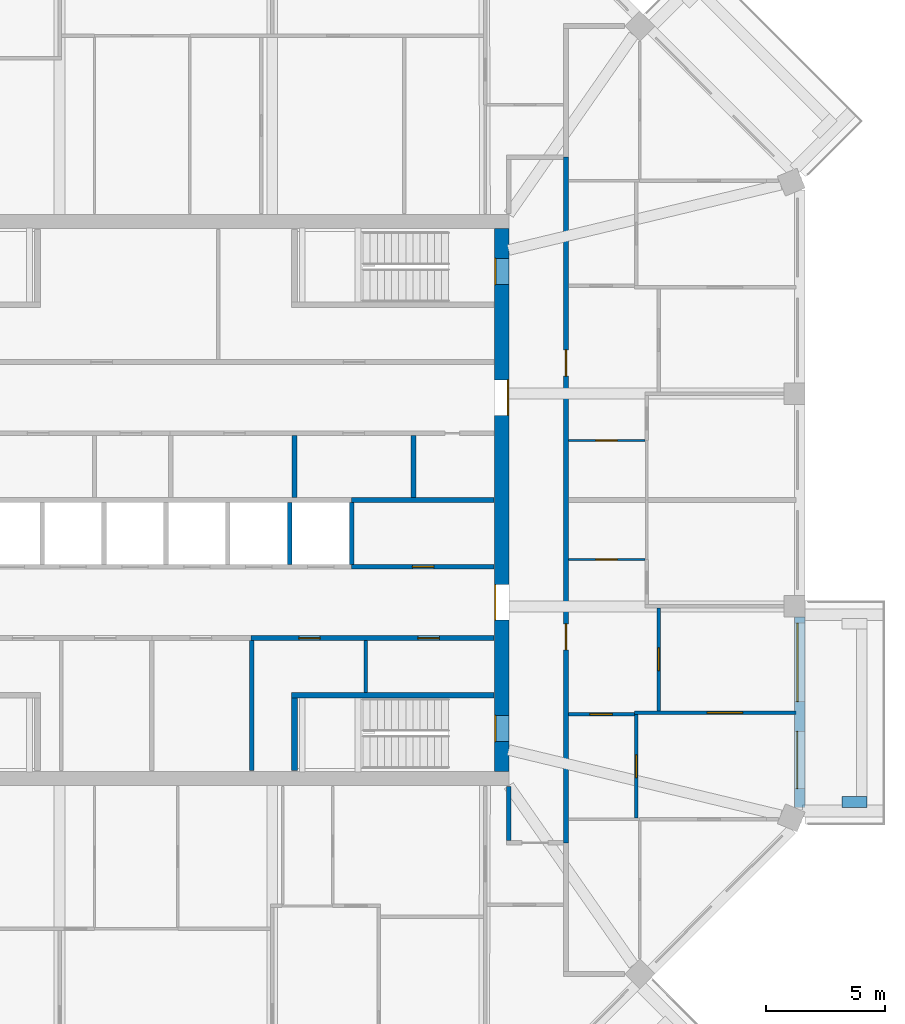
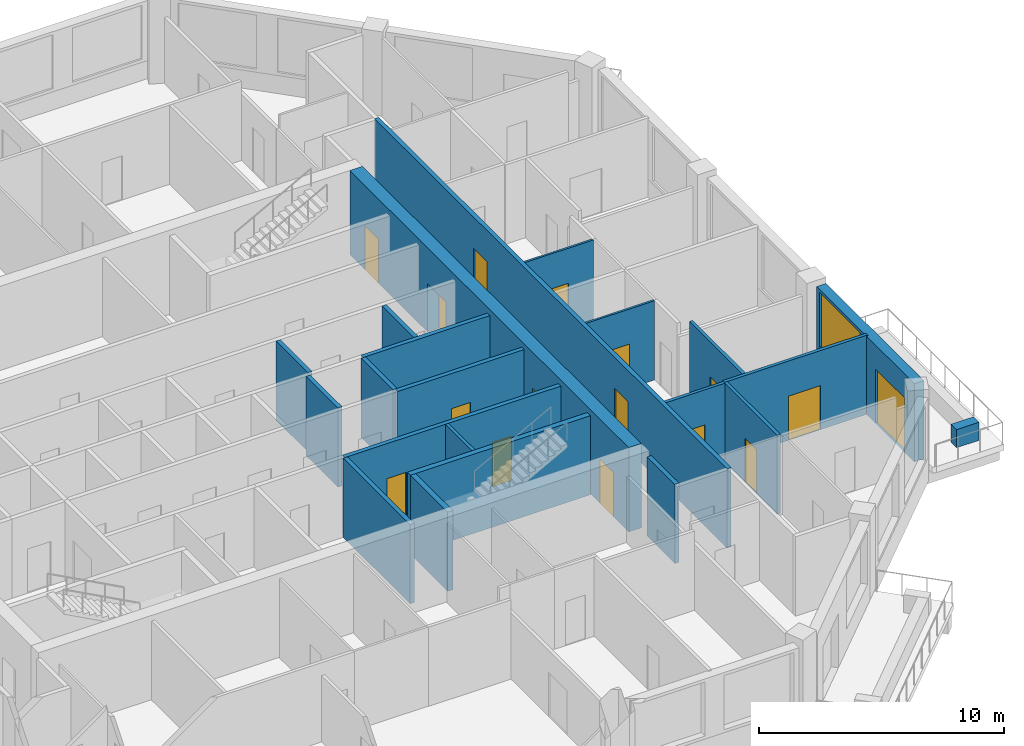
# One storey, part 6 of 11: 22 walls, 16 doors, 1 window, 17 openings.
"""IFC4 building model written with IfcOpenShell, lengths in metres."""

from ifc_helpers import new_model, si_unit, direction, frame, frame_2d, origin, place, context, subcontext, project, spatial, rectangle, extrude, material, layer, layer_set, type_object, element, fill, save


model = new_model("IFC4")

# Units and contexts
model_context = context("Model", 3, precision=1e-05, world=origin(), true_north=direction((0.0, 1.0)))
body_context = subcontext(model_context, "Body", "Model", "MODEL_VIEW")
ifc_project = project(units=[si_unit("LENGTHUNIT", "METRE"), si_unit("AREAUNIT", "SQUARE_METRE"), si_unit("VOLUMEUNIT", "CUBIC_METRE"), si_unit("PLANEANGLEUNIT", "RADIAN"), si_unit("MASSUNIT", "GRAM", prefix="KILO")], contexts=[model_context])

# Site, building, storey
site_placement = place(None, origin())
site = spatial("IfcSite", under=ifc_project, at=site_placement, CompositionType="ELEMENT")
building_placement = place(site_placement, origin())
building = spatial("IfcBuilding", under=site, at=building_placement, Name="Msitu Wima Residences", CompositionType="ELEMENT")
storey_placement = place(building_placement, frame((0.0, 0.0, 264.300048828125)))
storey = spatial("IfcBuildingStorey", under=building, at=storey_placement, Name="L61", CompositionType="ELEMENT", Elevation=264.300048828125)

# Wall
ifc_material_1 = material(Name="Facing brick")
ifc_layer_1 = layer(ifc_material_1, 0.06494140625, Name="Facing brick")
ifc_material_2 = material(Name="Concrete C40/50", Category="concrete")
ifc_layer_2 = layer(ifc_material_2, 0.156005859375, Name="Concrete C40/50")
ifc_material_3 = material(Name="Waterproofing membrane")
ifc_layer_3 = layer(ifc_material_3, 0.00390625, Name="Waterproofing membrane")
ifc_material_4 = material(Name="Planting soil and planting")
ifc_layer_4 = layer(ifc_material_4, 0.22509765625, Name="Planting soil and planting")
ifc_layer_set_1 = layer_set([ifc_layer_1, ifc_layer_2, ifc_layer_3, ifc_layer_4], Name="Concrete C40/50")
wall_type_1 = type_object("IfcWallType", Name="Balcony planter PLANTER PL450", PredefinedType="USERDEFINED", material=ifc_layer_set_1)
wall_1_placement = place(storey_placement, frame((28.39990234375, -12.680908203125, 0.0), z_axis=(0.0, 0.0, 1.0), x_axis=(1.0, 0.0, 0.0)))
element("IfcWall", 1, at=wall_1_placement, inside=storey, type_object=wall_type_1, Name="Balcony planter E0 L61", ObjectType="PLANTER", PredefinedType="USERDEFINED", context=body_context, shape_type="SweptSolid", body=[
    extrude(rectangle(XDim=1.050048828125, YDim=0.449951171875, at=frame_2d((0.52490234375, 0.0))), origin(), (0.0, 0.0, 1.0), 0.89990234375),
])

# Wall, openings, door, window
ifc_material_5 = material(Name="Brick (red buff mix)", Category="masonry")
ifc_layer_5 = layer(ifc_material_5, 0.449951171875)
ifc_layer_set_2 = layer_set([ifc_layer_5], Name="Brick (red buff mix)")
wall_type_2 = type_object("IfcWallType", Name="Brick infill wall BW450", PredefinedType="SOLIDWALL", material=ifc_layer_set_2)
wall_2_placement = place(storey_placement, frame((26.625, -12.918701171875, 0.0), z_axis=(0.0, 0.0, 1.0), x_axis=(0.0, 1.0, 0.0)))
wall_2 = element("IfcWall", 2, at=wall_2_placement, inside=storey, type_object=wall_type_2, Name="Brick infill wall L61 E0", PredefinedType="SOLIDWALL", context=body_context, shape_type="SweptSolid", body=[
    extrude(rectangle(XDim=8.0, YDim=0.449951171875, at=frame_2d((4.0, 0.0))), origin(), (0.0, 0.0, 1.0), 3.89990234375),
])
opening_1_placement = place(wall_2_placement, frame((0.800048828125, 0.0, 0.0)))
opening_1 = element("IfcOpeningElement", 3, at=opening_1_placement, cuts=wall_2, Name="Opening D60-62.001", PredefinedType="OPENING", context=body_context, shape_type="SweptSolid", body=[
    extrude(rectangle(XDim=2.39990234375, YDim=2.699951171875, at=frame_2d((1.199951171875, 1.35009765625))), frame((0.0, 0.23486328125, 0.0), z_axis=(0.0, -1.0, 0.0), x_axis=(1.0, 0.0, 0.0)), (0.0, 0.0, 1.0), 0.469970703125),
])
opening_2_placement = place(wall_2_placement, frame((4.4501953125, 0.0, 1.050048828125)))
opening_2 = element("IfcOpeningElement", 4, at=opening_2_placement, cuts=wall_2, Name="Opening W60-62.001", PredefinedType="OPENING", context=body_context, shape_type="SweptSolid", body=[
    extrude(rectangle(XDim=3.300048828125, YDim=2.699951171875, at=frame_2d((1.64990234375, 1.35009765625))), frame((0.0, 0.23486328125, 0.0), z_axis=(0.0, -1.0, 0.0), x_axis=(1.0, 0.0, 0.0)), (0.0, 0.0, 1.0), 0.469970703125),
])
ifc_material_6 = material(Name="Anodised aluminium, bronze finish, clear low-emissivity double glazing", Category="aluminium")
door_type_1 = type_object("IfcDoorType", Name="Balcony door D2400x2700", OperationType="SLIDING_TO_LEFT", PredefinedType="DOOR", material=ifc_material_6)
door_1_placement = place(opening_1_placement, origin())
door_1 = element("IfcDoor", 5, at=door_1_placement, inside=storey, type_object=door_type_1, Name="Balcony door L61 E0", OperationType="SINGLE_SWING_LEFT", OverallHeight=2.699951171875, OverallWidth=2.39990234375, PredefinedType="DOOR", context=body_context, shape_type="SweptSolid", body=[
    extrude(rectangle(XDim=2.39990234375, YDim=2.699951171875, at=frame_2d((1.199951171875, 1.35009765625))), frame((0.0, 0.1298828125, 0.0), z_axis=(0.0, -1.0, 0.0), x_axis=(1.0, 0.0, 0.0)), (0.0, 0.0, 1.0), 0.050048828125),
])
fill(opening_1, door_1)
window_type = type_object("IfcWindowType", Name="Window W3300x2700", PartitioningType="DOUBLE_PANEL_VERTICAL", PredefinedType="WINDOW", material=ifc_material_6)
window_placement = place(opening_2_placement, origin())
window = element("IfcWindow", 6, at=window_placement, inside=storey, type_object=window_type, Name="Window L61 E0.2", OverallHeight=2.699951171875, OverallWidth=3.300048828125, PartitioningType="SINGLE_PANEL", PredefinedType="WINDOW", context=body_context, shape_type="SweptSolid", body=[
    extrude(rectangle(XDim=3.300048828125, YDim=2.699951171875, at=frame_2d((1.64990234375, 1.35009765625))), frame((0.0, 0.135009765625, 0.0), z_axis=(0.0, -1.0, 0.0), x_axis=(1.0, 0.0, 0.0)), (0.0, 0.0, 1.0), 0.06005859375),
])
fill(opening_2, window)

# Wall, openings, doors
ifc_material_7 = material(Name="Concrete C50/60", Category="concrete")
ifc_layer_6 = layer(ifc_material_7, 0.60009765625)
ifc_layer_set_3 = layer_set([ifc_layer_6], Name="Concrete C50/60")
wall_type_3 = type_object("IfcWallType", Name="Core wall CW600 C50/60", PredefinedType="SHEAR", material=ifc_layer_set_3)
wall_3_placement = place(storey_placement, frame((14.10009765625, -11.39990234375, 0.0), z_axis=(0.0, 0.0, 1.0), x_axis=(0.0, 1.0, 0.0)))
wall_3 = element("IfcWall", 7, at=wall_3_placement, inside=storey, type_object=wall_type_3, Name="Core wall", PredefinedType="SHEAR", context=body_context, shape_type="SweptSolid", body=[
    extrude(rectangle(XDim=22.7998046875, YDim=0.60009765625, at=frame_2d((11.39990234375, 0.0))), origin(), (0.0, 0.0, 1.0), 4.199951171875),
])
opening_3_placement = place(wall_3_placement, frame((20.449951171875, 0.0, 0.0)))
opening_3 = element("IfcOpeningElement", 8, at=opening_3_placement, cuts=wall_3, Name="Opening D60-62.089", PredefinedType="OPENING", context=body_context, shape_type="SweptSolid", body=[
    extrude(rectangle(XDim=1.10009765625, YDim=2.199951171875, at=frame_2d((0.550048828125, 1.10009765625))), frame((0.0, 0.31005859375, 0.0), z_axis=(0.0, -1.0, 0.0), x_axis=(1.0, 0.0, 0.0)), (0.0, 0.0, 1.0), 0.6201171875),
])
opening_4_placement = place(wall_3_placement, frame((1.25, 0.0, 0.0)))
opening_4 = element("IfcOpeningElement", 9, at=opening_4_placement, cuts=wall_3, Name="Opening D60-62.090", PredefinedType="OPENING", context=body_context, shape_type="SweptSolid", body=[
    extrude(rectangle(XDim=1.10009765625, YDim=2.199951171875, at=frame_2d((0.550048828125, 1.10009765625))), frame((0.0, 0.31005859375, 0.0), z_axis=(0.0, -1.0, 0.0), x_axis=(1.0, 0.0, 0.0)), (0.0, 0.0, 1.0), 0.6201171875),
])
opening_5_placement = place(wall_3_placement, frame((14.949951171875, 0.0, 0.0)))
opening_5 = element("IfcOpeningElement", 10, at=opening_5_placement, cuts=wall_3, Name="Opening D60-62.077", PredefinedType="OPENING", context=body_context, shape_type="SweptSolid", body=[
    extrude(rectangle(XDim=1.5, YDim=2.39990234375, at=frame_2d((0.75, 1.199951171875))), frame((0.0, 0.31005859375, 0.0), z_axis=(0.0, -1.0, 0.0), x_axis=(1.0, 0.0, 0.0)), (0.0, 0.0, 1.0), 0.6201171875),
])
opening_6_placement = place(wall_3_placement, frame((6.35009765625, 0.0, 0.0)))
opening_6 = element("IfcOpeningElement", 11, at=opening_6_placement, cuts=wall_3, Name="Opening D60-62.078", PredefinedType="OPENING", context=body_context, shape_type="SweptSolid", body=[
    extrude(rectangle(XDim=1.5, YDim=2.39990234375, at=frame_2d((0.75, 1.199951171875))), frame((0.0, 0.31005859375, 0.0), z_axis=(0.0, -1.0, 0.0), x_axis=(1.0, 0.0, 0.0)), (0.0, 0.0, 1.0), 0.6201171875),
])
ifc_material_8 = material(Name="Steel framed glazed door, fire resisting", Category="steel")
door_type_2 = type_object("IfcDoorType", Name="Lobby door D07 1500x2400", OperationType="DOUBLE_DOOR_SINGLE_SWING", PredefinedType="DOOR", material=ifc_material_8)
door_2_placement = place(opening_5_placement, origin())
door_2 = element("IfcDoor", 12, at=door_2_placement, inside=storey, type_object=door_type_2, Name="Lobby door", OperationType="DOUBLE_DOOR_SINGLE_SWING", OverallHeight=2.39990234375, OverallWidth=1.5, PredefinedType="DOOR", context=body_context, shape_type="SweptSolid", body=[
    extrude(rectangle(XDim=1.5, YDim=2.39990234375, at=frame_2d((0.75, 1.199951171875))), frame((0.0, -0.2451171875, 0.0), z_axis=(0.0, -1.0, 0.0), x_axis=(1.0, 0.0, 0.0)), (0.0, 0.0, 1.0), 0.050048828125),
])
fill(opening_5, door_2)
door_3_placement = place(opening_6_placement, origin())
door_3 = element("IfcDoor", 13, at=door_3_placement, inside=storey, type_object=door_type_2, Name="Lobby door", OperationType="DOUBLE_DOOR_SINGLE_SWING", OverallHeight=2.39990234375, OverallWidth=1.5, PredefinedType="DOOR", context=body_context, shape_type="SweptSolid", body=[
    extrude(rectangle(XDim=1.5, YDim=2.39990234375, at=frame_2d((0.75, 1.199951171875))), frame((0.0, 0.294921875, 0.0), z_axis=(0.0, -1.0, 0.0), x_axis=(1.0, 0.0, 0.0)), (0.0, 0.0, 1.0), 0.050048828125),
])
fill(opening_6, door_3)
ifc_material_9 = material(Name="Steel door, fire resisting, panic bar", Category="steel")
door_type_3 = type_object("IfcDoorType", Name="Stair door D06 1100x2200", OperationType="SINGLE_SWING_LEFT", PredefinedType="DOOR", material=ifc_material_9)
door_4_placement = place(opening_3_placement, origin())
door_4 = element("IfcDoor", 14, at=door_4_placement, inside=storey, type_object=door_type_3, Name="Stair door", OperationType="SINGLE_SWING_LEFT", OverallHeight=2.199951171875, OverallWidth=1.10009765625, PredefinedType="DOOR", context=body_context, shape_type="SweptSolid", body=[
    extrude(rectangle(XDim=1.10009765625, YDim=2.199951171875, at=frame_2d((0.550048828125, 1.10009765625))), frame((0.0, 0.294921875, 0.0), z_axis=(0.0, -1.0, 0.0), x_axis=(1.0, 0.0, 0.0)), (0.0, 0.0, 1.0), 0.050048828125),
])
fill(opening_3, door_4)
door_5_placement = place(opening_4_placement, origin())
door_5 = element("IfcDoor", 15, at=door_5_placement, inside=storey, type_object=door_type_3, Name="Stair door", OperationType="SINGLE_SWING_RIGHT", OverallHeight=2.199951171875, OverallWidth=1.10009765625, PredefinedType="DOOR", context=body_context, shape_type="SweptSolid", body=[
    extrude(rectangle(XDim=1.10009765625, YDim=2.199951171875, at=frame_2d((0.550048828125, 1.10009765625))), frame((0.0, 0.294921875, 0.0), z_axis=(0.0, -1.0, 0.0), x_axis=(1.0, 0.0, 0.0)), (0.0, 0.0, 1.0), 0.050048828125),
])
fill(opening_4, door_5)

ifc_material_10 = material(Name="Plaster")
ifc_layer_7 = layer(ifc_material_10, 0.011962890625, Name="Plaster")
ifc_material_11 = material(Name="Concrete blockwork", Category="masonry")
ifc_layer_8 = layer(ifc_material_11, 0.176025390625, Name="Concrete blockwork")
ifc_layer_9 = layer(ifc_material_10, 0.011962890625, Name="Plaster")
ifc_layer_set_4 = layer_set([ifc_layer_7, ifc_layer_8, ifc_layer_9], Name="Concrete blockwork")
wall_type_4 = type_object("IfcWallType", Name="Corridor wall FW200", PredefinedType="PARTITIONING", material=ifc_layer_set_4)
wall_4_placement = place(storey_placement, frame((3.580078125, -5.800048828125, 0.0), z_axis=(0.0, 0.0, 1.0), x_axis=(1.0, 0.0, 0.0)))
wall_4 = element("IfcWall", 16, at=wall_4_placement, inside=storey, type_object=wall_type_4, Name="Corridor wall", PredefinedType="PARTITIONING", context=body_context, shape_type="SweptSolid", body=[
    extrude(rectangle(XDim=10.18994140625, YDim=0.199951171875, at=frame_2d((5.094970703125, 0.0))), origin(), (0.0, 0.0, 1.0), 3.949951171875),
])
opening_7_placement = place(wall_4_placement, frame((2.0, 0.0, 0.0)))
opening_7 = element("IfcOpeningElement", 17, at=opening_7_placement, cuts=wall_4, Name="Opening D60-62.075", PredefinedType="OPENING", context=body_context, shape_type="SweptSolid", body=[
    extrude(rectangle(XDim=0.89990234375, YDim=2.199951171875, at=frame_2d((0.449951171875, 1.10009765625))), frame((0.0, 0.10986328125, 0.0), z_axis=(0.0, -1.0, 0.0), x_axis=(1.0, 0.0, 0.0)), (0.0, 0.0, 1.0), 0.219970703125),
])
opening_8_placement = place(wall_4_placement, frame((7.0, 0.0, 0.0)))
opening_8 = element("IfcOpeningElement", 18, at=opening_8_placement, cuts=wall_4, Name="Opening D60-62.076", PredefinedType="OPENING", context=body_context, shape_type="SweptSolid", body=[
    extrude(rectangle(XDim=0.89990234375, YDim=2.199951171875, at=frame_2d((0.449951171875, 1.10009765625))), frame((0.0, 0.10986328125, 0.0), z_axis=(0.0, -1.0, 0.0), x_axis=(1.0, 0.0, 0.0)), (0.0, 0.0, 1.0), 0.219970703125),
])
ifc_material_12 = material(Name="Timber flush door", Category="wood")
door_type_4 = type_object("IfcDoorType", Name="Service door D05 900x2200", OperationType="SINGLE_SWING_LEFT", PredefinedType="DOOR", material=ifc_material_12)
door_6_placement = place(opening_7_placement, origin())
door_6 = element("IfcDoor", 19, at=door_6_placement, inside=storey, type_object=door_type_4, Name="Service door", OperationType="SINGLE_SWING_LEFT", OverallHeight=2.199951171875, OverallWidth=0.89990234375, PredefinedType="DOOR", context=body_context, shape_type="SweptSolid", body=[
    extrude(rectangle(XDim=0.89990234375, YDim=2.199951171875, at=frame_2d((0.449951171875, 1.10009765625))), frame((0.0, 0.02490234375, 0.0), z_axis=(0.0, -1.0, 0.0), x_axis=(1.0, 0.0, 0.0)), (0.0, 0.0, 1.0), 0.050048828125),
])
fill(opening_7, door_6)
door_7_placement = place(opening_8_placement, origin())
door_7 = element("IfcDoor", 20, at=door_7_placement, inside=storey, type_object=door_type_4, Name="Service door", OperationType="SINGLE_SWING_RIGHT", OverallHeight=2.199951171875, OverallWidth=0.89990234375, PredefinedType="DOOR", context=body_context, shape_type="SweptSolid", body=[
    extrude(rectangle(XDim=0.89990234375, YDim=2.199951171875, at=frame_2d((0.449951171875, 1.10009765625))), frame((0.0, 0.02490234375, 0.0), z_axis=(0.0, -1.0, 0.0), x_axis=(1.0, 0.0, 0.0)), (0.0, 0.0, 1.0), 0.050048828125),
])
fill(opening_8, door_7)

# Wall
wall_5_placement = place(storey_placement, frame((14.39990234375, -14.300048828125, 0.0), z_axis=(0.0, 0.0, 1.0), x_axis=(0.0, 1.0, 0.0)))
element("IfcWall", 21, at=wall_5_placement, inside=storey, type_object=wall_type_4, Name="Corridor wall", PredefinedType="PARTITIONING", context=body_context, shape_type="SweptSolid", body=[
    extrude(rectangle(XDim=2.27001953125, YDim=0.199951171875, at=frame_2d((1.135009765625, 0.0))), origin(), (0.0, 0.0, 1.0), 3.949951171875),
])

# Wall, openings, doors
wall_6_placement = place(storey_placement, frame((16.800048828125, -14.39990234375, 0.0), z_axis=(0.0, 0.0, 1.0), x_axis=(0.0, 1.0, 0.0)))
wall_6 = element("IfcWall", 22, at=wall_6_placement, inside=storey, type_object=wall_type_4, Name="Corridor wall", PredefinedType="PARTITIONING", context=body_context, shape_type="SweptSolid", body=[
    extrude(rectangle(XDim=28.7998046875, YDim=0.199951171875, at=frame_2d((14.39990234375, 0.0))), origin(), (0.0, 0.0, 1.0), 3.949951171875),
])
opening_9_placement = place(wall_6_placement, frame((8.10009765625, 0.0, 0.0)))
opening_9 = element("IfcOpeningElement", 23, at=opening_9_placement, cuts=wall_6, Name="Opening D60-62.008", PredefinedType="OPENING", context=body_context, shape_type="SweptSolid", body=[
    extrude(rectangle(XDim=1.10009765625, YDim=2.39990234375, at=frame_2d((0.550048828125, 1.199951171875))), frame((0.0, 0.10986328125, 0.0), z_axis=(0.0, -1.0, 0.0), x_axis=(1.0, 0.0, 0.0)), (0.0, 0.0, 1.0), 0.219970703125),
])
opening_10_placement = place(wall_6_placement, frame((19.60009765625, 0.0, 0.0)))
opening_10 = element("IfcOpeningElement", 24, at=opening_10_placement, cuts=wall_6, Name="Opening D60-62.017", PredefinedType="OPENING", context=body_context, shape_type="SweptSolid", body=[
    extrude(rectangle(XDim=1.10009765625, YDim=2.39990234375, at=frame_2d((0.550048828125, 1.199951171875))), frame((0.0, 0.10986328125, 0.0), z_axis=(0.0, -1.0, 0.0), x_axis=(1.0, 0.0, 0.0)), (0.0, 0.0, 1.0), 0.219970703125),
])
ifc_material_13 = material(Name="Timber flush door, fire resisting, self-closing", Category="wood")
door_type_5 = type_object("IfcDoorType", Name="Flat entrance door D01 1100x2400", OperationType="SINGLE_SWING_LEFT", PredefinedType="DOOR", material=ifc_material_13)
door_8_placement = place(opening_9_placement, origin())
door_8 = element("IfcDoor", 25, at=door_8_placement, inside=storey, type_object=door_type_5, Name="Flat entrance door", OperationType="SINGLE_SWING_RIGHT", OverallHeight=2.39990234375, OverallWidth=1.10009765625, PredefinedType="DOOR", context=body_context, shape_type="SweptSolid", body=[
    extrude(rectangle(XDim=1.10009765625, YDim=2.39990234375, at=frame_2d((0.550048828125, 1.199951171875))), frame((0.0, 0.02490234375, 0.0), z_axis=(0.0, -1.0, 0.0), x_axis=(1.0, 0.0, 0.0)), (0.0, 0.0, 1.0), 0.050048828125),
])
fill(opening_9, door_8)
door_9_placement = place(opening_10_placement, origin())
door_9 = element("IfcDoor", 26, at=door_9_placement, inside=storey, type_object=door_type_5, Name="Flat entrance door", OperationType="SINGLE_SWING_LEFT", OverallHeight=2.39990234375, OverallWidth=1.10009765625, PredefinedType="DOOR", context=body_context, shape_type="SweptSolid", body=[
    extrude(rectangle(XDim=1.10009765625, YDim=2.39990234375, at=frame_2d((0.550048828125, 1.199951171875))), frame((0.0, 0.02490234375, 0.0), z_axis=(0.0, -1.0, 0.0), x_axis=(1.0, 0.0, 0.0)), (0.0, 0.0, 1.0), 0.050048828125),
])
fill(opening_10, door_9)

# Wall
ifc_layer_10 = layer(ifc_material_10, 0.011962890625, Name="Plaster")
ifc_layer_11 = layer(ifc_material_11, 0.1259765625, Name="Concrete blockwork")
ifc_layer_12 = layer(ifc_material_10, 0.011962890625, Name="Plaster")
ifc_layer_set_5 = layer_set([ifc_layer_10, ifc_layer_11, ifc_layer_12], Name="Concrete blockwork")
wall_type_5 = type_object("IfcWallType", Name="Partition PW150", PredefinedType="PARTITIONING", material=ifc_layer_set_5)
wall_7_placement = place(storey_placement, frame((8.39990234375, -8.074951171875, 0.0), z_axis=(0.0, 0.0, 1.0), x_axis=(0.0, 1.0, 0.0)))
element("IfcWall", 27, at=wall_7_placement, inside=storey, type_object=wall_type_5, Name="Partition", PredefinedType="PARTITIONING", context=body_context, shape_type="SweptSolid", body=[
    extrude(rectangle(XDim=2.175048828125, YDim=0.14990234375, at=frame_2d((1.08740234375, 0.0))), origin(), (0.0, 0.0, 1.0), 3.949951171875),
])

# Wall, opening, door
wall_8_placement = place(storey_placement, frame((16.89990234375, -9.0, 0.0), z_axis=(0.0, 0.0, 1.0), x_axis=(1.0, 0.0, 0.0)))
wall_8 = element("IfcWall", 28, at=wall_8_placement, inside=storey, type_object=wall_type_5, Name="Partition", PredefinedType="PARTITIONING", context=body_context, shape_type="SweptSolid", body=[
    extrude(rectangle(XDim=2.775146484375, YDim=0.14990234375, at=frame_2d((1.3876953125, 0.0))), origin(), (0.0, 0.0, 1.0), 3.949951171875),
])
opening_11_placement = place(wall_8_placement, frame((0.89990234375, 0.0, 0.0)))
opening_11 = element("IfcOpeningElement", 29, at=opening_11_placement, cuts=wall_8, Name="Opening D60-62.010", PredefinedType="OPENING", context=body_context, shape_type="SweptSolid", body=[
    extrude(rectangle(XDim=0.949951171875, YDim=2.199951171875, at=frame_2d((0.47509765625, 1.10009765625))), frame((0.0, 0.0849609375, 0.0), z_axis=(0.0, -1.0, 0.0), x_axis=(1.0, 0.0, 0.0)), (0.0, 0.0, 1.0), 0.169921875),
])
door_type_6 = type_object("IfcDoorType", Name="Room door D12 950x2200", OperationType="SINGLE_SWING_LEFT", PredefinedType="DOOR", material=ifc_material_12)
door_10_placement = place(opening_11_placement, origin())
door_10 = element("IfcDoor", 30, at=door_10_placement, inside=storey, type_object=door_type_6, Name="Room door", OperationType="SINGLE_SWING_RIGHT", OverallHeight=2.199951171875, OverallWidth=0.949951171875, PredefinedType="DOOR", context=body_context, shape_type="SweptSolid", body=[
    extrude(rectangle(XDim=0.949951171875, YDim=2.199951171875, at=frame_2d((0.47509765625, 1.10009765625))), frame((0.0, 0.02490234375, 0.0), z_axis=(0.0, -1.0, 0.0), x_axis=(1.0, 0.0, 0.0)), (0.0, 0.0, 1.0), 0.050048828125),
])
fill(opening_11, door_10)

wall_9_placement = place(storey_placement, frame((19.75, -13.35595703125, 0.0), z_axis=(0.0, 0.0, 1.0), x_axis=(0.0, 1.0, 0.0)))
wall_9 = element("IfcWall", 31, at=wall_9_placement, inside=storey, type_object=wall_type_5, Name="Partition", PredefinedType="PARTITIONING", context=body_context, shape_type="SweptSolid", body=[
    extrude(rectangle(XDim=4.34375, YDim=0.14990234375, at=frame_2d((2.171875, 0.0))), origin(), (0.0, 0.0, 1.0), 3.949951171875),
])
opening_12_placement = place(wall_9_placement, frame((1.699951171875, 0.0, 0.0)))
opening_12 = element("IfcOpeningElement", 32, at=opening_12_placement, cuts=wall_9, Name="Opening D60-62.016", PredefinedType="OPENING", context=body_context, shape_type="SweptSolid", body=[
    extrude(rectangle(XDim=0.949951171875, YDim=2.199951171875, at=frame_2d((0.47509765625, 1.10009765625))), frame((0.0, 0.0849609375, 0.0), z_axis=(0.0, -1.0, 0.0), x_axis=(1.0, 0.0, 0.0)), (0.0, 0.0, 1.0), 0.169921875),
])
door_11_placement = place(opening_12_placement, origin())
door_11 = element("IfcDoor", 33, at=door_11_placement, inside=storey, type_object=door_type_6, Name="Room door", OperationType="SINGLE_SWING_RIGHT", OverallHeight=2.199951171875, OverallWidth=0.949951171875, PredefinedType="DOOR", context=body_context, shape_type="SweptSolid", body=[
    extrude(rectangle(XDim=0.949951171875, YDim=2.199951171875, at=frame_2d((0.47509765625, 1.10009765625))), frame((0.0, 0.02490234375, 0.0), z_axis=(0.0, -1.0, 0.0), x_axis=(1.0, 0.0, 0.0)), (0.0, 0.0, 1.0), 0.050048828125),
])
fill(opening_12, door_11)

wall_10_placement = place(storey_placement, frame((19.675048828125, -8.937255859375, 0.0), z_axis=(0.0, 0.0, 1.0), x_axis=(1.0, 0.0, 0.0)))
wall_10 = element("IfcWall", 34, at=wall_10_placement, inside=storey, type_object=wall_type_5, Name="Partition", PredefinedType="PARTITIONING", context=body_context, shape_type="SweptSolid", body=[
    extrude(rectangle(XDim=6.780029296875, YDim=0.14990234375, at=frame_2d((3.39013671875, 0.0))), origin(), (0.0, 0.0, 1.0), 3.949951171875),
])
opening_13_placement = place(wall_10_placement, frame((3.050048828125, 0.0, 0.0)))
opening_13 = element("IfcOpeningElement", 35, at=opening_13_placement, cuts=wall_10, Name="Opening D60-62.013", PredefinedType="OPENING", context=body_context, shape_type="SweptSolid", body=[
    extrude(rectangle(XDim=1.5, YDim=2.199951171875, at=frame_2d((0.75, 1.10009765625))), frame((0.0, 0.0849609375, 0.0), z_axis=(0.0, -1.0, 0.0), x_axis=(1.0, 0.0, 0.0)), (0.0, 0.0, 1.0), 0.169921875),
])
ifc_material_14 = material(Name="Timber double door", Category="wood")
door_type_7 = type_object("IfcDoorType", Name="Double door D04 1500x2200", OperationType="DOUBLE_DOOR_SINGLE_SWING", PredefinedType="DOOR", material=ifc_material_14)
door_12_placement = place(opening_13_placement, origin())
door_12 = element("IfcDoor", 36, at=door_12_placement, inside=storey, type_object=door_type_7, Name="Double door", OperationType="DOUBLE_DOOR_SINGLE_SWING", OverallHeight=2.199951171875, OverallWidth=1.5, PredefinedType="DOOR", context=body_context, shape_type="SweptSolid", body=[
    extrude(rectangle(XDim=1.5, YDim=2.199951171875, at=frame_2d((0.75, 1.10009765625))), frame((0.0, 0.02490234375, 0.0), z_axis=(0.0, -1.0, 0.0), x_axis=(1.0, 0.0, 0.0)), (0.0, 0.0, 1.0), 0.050048828125),
])
fill(opening_13, door_12)

wall_11_placement = place(storey_placement, frame((20.699951171875, -8.8623046875, 0.0), z_axis=(0.0, 0.0, 1.0), x_axis=(0.0, 1.0, 0.0)))
wall_11 = element("IfcWall", 37, at=wall_11_placement, inside=storey, type_object=wall_type_5, Name="Partition", PredefinedType="PARTITIONING", context=body_context, shape_type="SweptSolid", body=[
    extrude(rectangle(XDim=4.318603515625, YDim=0.14990234375, at=frame_2d((2.1591796875, 0.0))), origin(), (0.0, 0.0, 1.0), 3.949951171875),
])
opening_14_placement = place(wall_11_placement, frame((1.699951171875, 0.0, 0.0)))
opening_14 = element("IfcOpeningElement", 38, at=opening_14_placement, cuts=wall_11, Name="Opening D60-62.012", PredefinedType="OPENING", context=body_context, shape_type="SweptSolid", body=[
    extrude(rectangle(XDim=0.949951171875, YDim=2.199951171875, at=frame_2d((0.47509765625, 1.10009765625))), frame((0.0, 0.0849609375, 0.0), z_axis=(0.0, -1.0, 0.0), x_axis=(1.0, 0.0, 0.0)), (0.0, 0.0, 1.0), 0.169921875),
])
door_13_placement = place(opening_14_placement, origin())
door_13 = element("IfcDoor", 39, at=door_13_placement, inside=storey, type_object=door_type_6, Name="Room door", OperationType="SINGLE_SWING_LEFT", OverallHeight=2.199951171875, OverallWidth=0.949951171875, PredefinedType="DOOR", context=body_context, shape_type="SweptSolid", body=[
    extrude(rectangle(XDim=0.949951171875, YDim=2.199951171875, at=frame_2d((0.47509765625, 1.10009765625))), frame((0.0, 0.02490234375, 0.0), z_axis=(0.0, -1.0, 0.0), x_axis=(1.0, 0.0, 0.0)), (0.0, 0.0, 1.0), 0.050048828125),
])
fill(opening_14, door_13)

# Walls
ifc_layer_13 = layer(ifc_material_10, 0.011962890625, Name="Plaster")
ifc_material_15 = material(Name="Reinforced concrete blockwork", Category="masonry")
ifc_layer_14 = layer(ifc_material_15, 0.176025390625, Name="Reinforced concrete blockwork")
ifc_layer_15 = layer(ifc_material_10, 0.011962890625, Name="Plaster")
ifc_layer_set_6 = layer_set([ifc_layer_13, ifc_layer_14, ifc_layer_15], Name="Reinforced concrete blockwork")
wall_type_6 = type_object("IfcWallType", Name="Plant and riser wall PL200", PredefinedType="PARTITIONING", material=ifc_layer_set_6)
wall_12_placement = place(storey_placement, frame((3.60009765625, -11.3701171875, 0.0), z_axis=(0.0, 0.0, 1.0), x_axis=(0.0, 1.0, 0.0)))
element("IfcWall", 40, at=wall_12_placement, inside=storey, type_object=wall_type_6, Name="Plant and riser wall", PredefinedType="PARTITIONING", context=body_context, shape_type="SweptSolid", body=[
    extrude(rectangle(XDim=5.47021484375, YDim=0.199951171875, at=frame_2d((2.735107421875, 0.0))), origin(), (0.0, 0.0, 1.0), 3.949951171875),
])
wall_13_placement = place(storey_placement, frame((5.39990234375, 0.10009765625, 0.0), z_axis=(0.0, 0.0, 1.0), x_axis=(0.0, 1.0, 0.0)))
element("IfcWall", 41, at=wall_13_placement, inside=storey, type_object=wall_type_6, Name="Plant and riser wall", PredefinedType="PARTITIONING", context=body_context, shape_type="SweptSolid", body=[
    extrude(rectangle(XDim=2.599853515625, YDim=0.199951171875, at=frame_2d((1.2998046875, 0.0))), origin(), (0.0, 0.0, 1.0), 3.949951171875),
])

# Wall, opening, door
wall_14_placement = place(storey_placement, frame((7.800048828125, -2.800048828125, 0.0), z_axis=(0.0, 0.0, 1.0), x_axis=(1.0, 0.0, 0.0)))
wall_14 = element("IfcWall", 42, at=wall_14_placement, inside=storey, type_object=wall_type_6, Name="Plant and riser wall", PredefinedType="PARTITIONING", context=body_context, shape_type="SweptSolid", body=[
    extrude(rectangle(XDim=5.969970703125, YDim=0.199951171875, at=frame_2d((2.98486328125, 0.0))), origin(), (0.0, 0.0, 1.0), 3.949951171875),
])
opening_15_placement = place(wall_14_placement, frame((2.550048828125, 0.0, 0.0)))
opening_15 = element("IfcOpeningElement", 43, at=opening_15_placement, cuts=wall_14, Name="Opening D60-62.065", PredefinedType="OPENING", context=body_context, shape_type="SweptSolid", body=[
    extrude(rectangle(XDim=0.89990234375, YDim=2.199951171875, at=frame_2d((0.449951171875, 1.10009765625))), frame((0.0, 0.10986328125, 0.0), z_axis=(0.0, -1.0, 0.0), x_axis=(1.0, 0.0, 0.0)), (0.0, 0.0, 1.0), 0.219970703125),
])
door_14_placement = place(opening_15_placement, origin())
door_14 = element("IfcDoor", 44, at=door_14_placement, inside=storey, type_object=door_type_4, Name="Service door", OperationType="SINGLE_SWING_LEFT", OverallHeight=2.199951171875, OverallWidth=0.89990234375, PredefinedType="DOOR", context=body_context, shape_type="SweptSolid", body=[
    extrude(rectangle(XDim=0.89990234375, YDim=2.199951171875, at=frame_2d((0.449951171875, 1.10009765625))), frame((0.0, 0.02490234375, 0.0), z_axis=(0.0, -1.0, 0.0), x_axis=(1.0, 0.0, 0.0)), (0.0, 0.0, 1.0), 0.050048828125),
])
fill(opening_15, door_14)

# Walls
wall_15_placement = place(storey_placement, frame((7.800048828125, 0.0, 0.0), z_axis=(0.0, 0.0, 1.0), x_axis=(1.0, 0.0, 0.0)))
element("IfcWall", 45, at=wall_15_placement, inside=storey, type_object=wall_type_6, Name="Plant and riser wall", PredefinedType="PARTITIONING", context=body_context, shape_type="SweptSolid", body=[
    extrude(rectangle(XDim=5.969970703125, YDim=0.199951171875, at=frame_2d((2.98486328125, 0.0))), origin(), (0.0, 0.0, 1.0), 3.949951171875),
])
wall_16_placement = place(storey_placement, frame((10.39990234375, 0.10009765625, 0.0), z_axis=(0.0, 0.0, 1.0), x_axis=(0.0, 1.0, 0.0)))
element("IfcWall", 46, at=wall_16_placement, inside=storey, type_object=wall_type_6, Name="Plant and riser wall", PredefinedType="PARTITIONING", context=body_context, shape_type="SweptSolid", body=[
    extrude(rectangle(XDim=2.599853515625, YDim=0.199951171875, at=frame_2d((1.2998046875, 0.0))), origin(), (0.0, 0.0, 1.0), 3.949951171875),
])
ifc_material_16 = material(Name="Fire-rated board")
ifc_layer_16 = layer(ifc_material_16, 0.02490234375, Name="Fire-rated board")
ifc_material_17 = material(Name="Light-gauge stud framing with mineral wool")
ifc_layer_17 = layer(ifc_material_17, 0.14990234375, Name="Light-gauge stud framing with mineral wool")
ifc_layer_18 = layer(ifc_material_16, 0.02490234375, Name="Fire-rated board")
ifc_layer_set_7 = layer_set([ifc_layer_16, ifc_layer_17, ifc_layer_18], Name="Light-gauge stud framing with mineral wool")
wall_type_7 = type_object("IfcWallType", Name="Shaft wall SH200", PredefinedType="PARTITIONING", material=ifc_layer_set_7)
for number, where, z_axis, x_axis, name in (
    (47, (5.199951171875, -2.699951171875, 0.0), (0.0, 0.0, 1.0), (0.0, 1.0, 0.0), "Shaft wall"),
    (48, (7.800048828125, -2.699951171875, 0.0), (0.0, 0.0, 1.0), (0.0, 1.0, 0.0), "Shaft wall"),
):
    element("IfcWall", number, at=place(storey_placement, frame(where, z_axis=z_axis, x_axis=x_axis)), inside=storey, type_object=wall_type_7, Name=name, PredefinedType="PARTITIONING", context=body_context, shape_type="SweptSolid", body=[
        extrude(rectangle(XDim=2.599853515625, YDim=0.199951171875, at=frame_2d((1.2998046875, 0.0))), origin(), (0.0, 0.0, 1.0), 3.949951171875),
    ])
ifc_layer_19 = layer(ifc_material_7, 0.25)
ifc_layer_set_8 = layer_set([ifc_layer_19], Name="Concrete C50/60")
wall_type_8 = type_object("IfcWallType", Name="Stair enclosure wall SW250", PredefinedType="SHEAR", material=ifc_layer_set_8)
wall_17_placement = place(storey_placement, frame((5.39990234375, -11.3701171875, 0.0), z_axis=(0.0, 0.0, 1.0), x_axis=(0.0, 1.0, 0.0)))
element("IfcWall", 49, at=wall_17_placement, inside=storey, type_object=wall_type_8, Name="Stair enclosure wall", PredefinedType="SHEAR", context=body_context, shape_type="SweptSolid", body=[
    extrude(rectangle(XDim=3.045166015625, YDim=0.25, at=frame_2d((1.5224609375, 0.0))), origin(), (0.0, 0.0, 1.0), 3.949951171875),
])
wall_18_placement = place(storey_placement, frame((5.27490234375, -8.199951171875, 0.0), z_axis=(0.0, 0.0, 1.0), x_axis=(1.0, 0.0, 0.0)))
element("IfcWall", 50, at=wall_18_placement, inside=storey, type_object=wall_type_8, Name="Stair enclosure wall", PredefinedType="SHEAR", context=body_context, shape_type="SweptSolid", body=[
    extrude(rectangle(XDim=8.4951171875, YDim=0.25, at=frame_2d((4.24755859375, 0.0))), origin(), (0.0, 0.0, 1.0), 3.949951171875),
])

# Wall, opening, door
ifc_material_18 = material(Name="Ceramic tiles")
ifc_layer_20 = layer(ifc_material_18, 0.008056640625, Name="Ceramic tiles")
ifc_material_19 = material(Name="Moisture-resistant board")
ifc_layer_21 = layer(ifc_material_19, 0.012451171875, Name="Moisture-resistant board")
ifc_layer_22 = layer(ifc_material_17, 0.06689453125, Name="Light-gauge stud framing with mineral wool")
ifc_layer_23 = layer(ifc_material_19, 0.012451171875, Name="Moisture-resistant board")
ifc_layer_set_9 = layer_set([ifc_layer_20, ifc_layer_21, ifc_layer_22, ifc_layer_23], Name="Light-gauge stud framing with mineral wool")
wall_type_9 = type_object("IfcWallType", Name="Wet wall PW100", PredefinedType="PARTITIONING", material=ifc_layer_set_9)
wall_19_placement = place(storey_placement, frame((16.89990234375, -2.5, 0.0), z_axis=(0.0, 0.0, 1.0), x_axis=(1.0, 0.0, 0.0)))
wall_19 = element("IfcWall", 51, at=wall_19_placement, inside=storey, type_object=wall_type_9, Name="Wet wall", PredefinedType="PARTITIONING", context=body_context, shape_type="SweptSolid", body=[
    extrude(rectangle(XDim=3.22509765625, YDim=0.10009765625, at=frame_2d((1.612548828125, 0.0))), origin(), (0.0, 0.0, 1.0), 3.949951171875),
])
opening_16_placement = place(wall_19_placement, frame((1.14990234375, 0.0, 0.0)))
opening_16 = element("IfcOpeningElement", 52, at=opening_16_placement, cuts=wall_19, Name="Opening D60-62.009", PredefinedType="OPENING", context=body_context, shape_type="SweptSolid", body=[
    extrude(rectangle(XDim=0.89990234375, YDim=2.199951171875, at=frame_2d((0.449951171875, 1.10009765625))), frame((0.0, 0.06005859375, 0.0), z_axis=(0.0, -1.0, 0.0), x_axis=(1.0, 0.0, 0.0)), (0.0, 0.0, 1.0), 0.1201171875),
])
ifc_material_20 = material(Name="Timber flush door, moisture resistant", Category="wood")
door_type_8 = type_object("IfcDoorType", Name="Bathroom door D03 900x2200", OperationType="SINGLE_SWING_LEFT", PredefinedType="DOOR", material=ifc_material_20)
door_15_placement = place(opening_16_placement, origin())
door_15 = element("IfcDoor", 53, at=door_15_placement, inside=storey, type_object=door_type_8, Name="Bathroom door", OperationType="SINGLE_SWING_LEFT", OverallHeight=2.199951171875, OverallWidth=0.89990234375, PredefinedType="DOOR", context=body_context, shape_type="SweptSolid", body=[
    extrude(rectangle(XDim=0.89990234375, YDim=2.199951171875, at=frame_2d((0.449951171875, 1.10009765625))), frame((0.0, 0.02490234375, 0.0), z_axis=(0.0, -1.0, 0.0), x_axis=(1.0, 0.0, 0.0)), (0.0, 0.0, 1.0), 0.050048828125),
])
fill(opening_16, door_15)

wall_20_placement = place(storey_placement, frame((16.89990234375, 2.5, 0.0), z_axis=(0.0, 0.0, 1.0), x_axis=(1.0, 0.0, 0.0)))
wall_20 = element("IfcWall", 54, at=wall_20_placement, inside=storey, type_object=wall_type_9, Name="Wet wall", PredefinedType="PARTITIONING", context=body_context, shape_type="SweptSolid", body=[
    extrude(rectangle(XDim=3.22509765625, YDim=0.10009765625, at=frame_2d((1.612548828125, 0.0))), origin(), (0.0, 0.0, 1.0), 3.949951171875),
])
opening_17_placement = place(wall_20_placement, frame((1.14990234375, 0.0, 0.0)))
opening_17 = element("IfcOpeningElement", 55, at=opening_17_placement, cuts=wall_20, Name="Opening D60-62.018", PredefinedType="OPENING", context=body_context, shape_type="SweptSolid", body=[
    extrude(rectangle(XDim=0.89990234375, YDim=2.199951171875, at=frame_2d((0.449951171875, 1.10009765625))), frame((0.0, 0.06005859375, 0.0), z_axis=(0.0, -1.0, 0.0), x_axis=(1.0, 0.0, 0.0)), (0.0, 0.0, 1.0), 0.1201171875),
])
door_16_placement = place(opening_17_placement, origin())
door_16 = element("IfcDoor", 56, at=door_16_placement, inside=storey, type_object=door_type_8, Name="Bathroom door", OperationType="SINGLE_SWING_RIGHT", OverallHeight=2.199951171875, OverallWidth=0.89990234375, PredefinedType="DOOR", context=body_context, shape_type="SweptSolid", body=[
    extrude(rectangle(XDim=0.89990234375, YDim=2.199951171875, at=frame_2d((0.449951171875, 1.10009765625))), frame((0.0, 0.02490234375, 0.0), z_axis=(0.0, -1.0, 0.0), x_axis=(1.0, 0.0, 0.0)), (0.0, 0.0, 1.0), 0.050048828125),
])
fill(opening_17, door_16)

save(model, "model.ifc")
